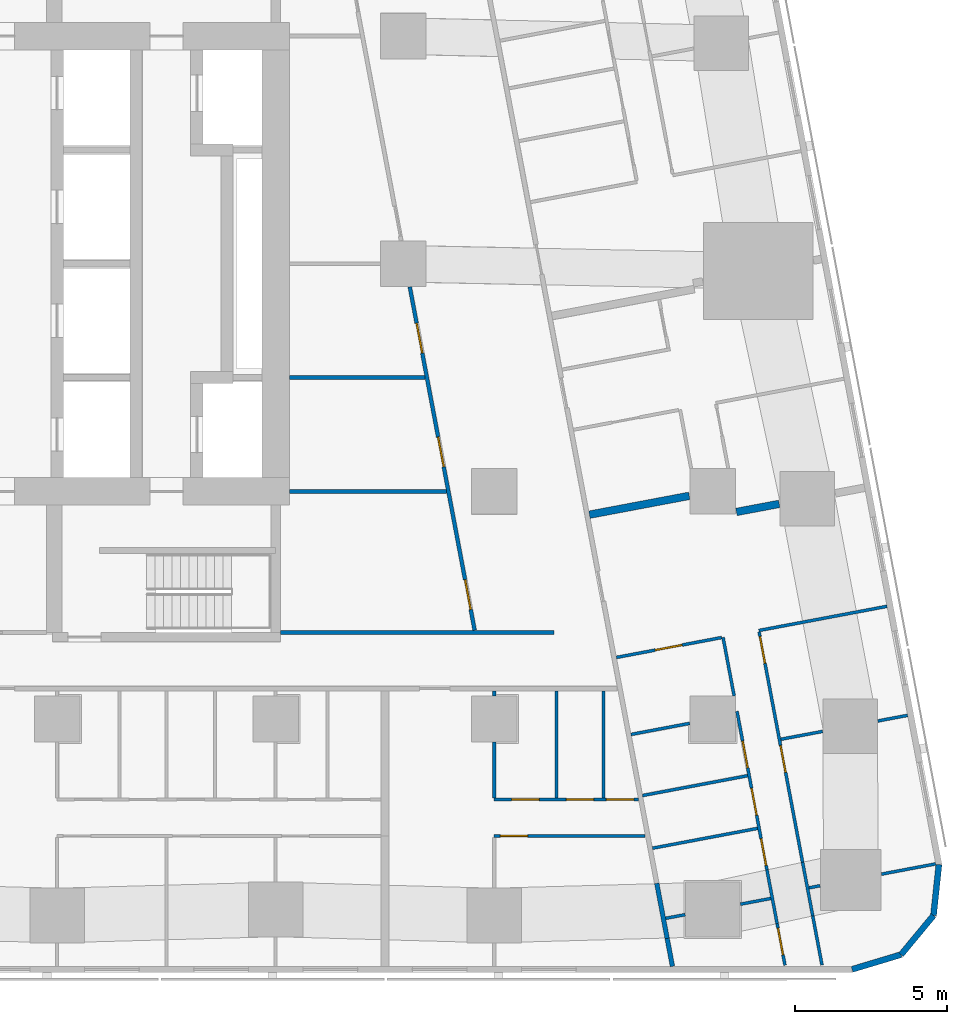
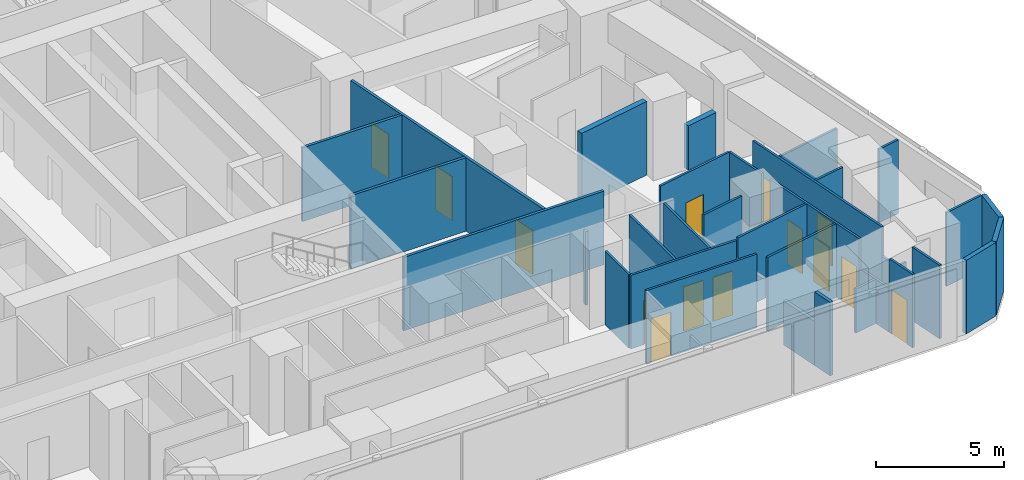
# One storey, part 7 of 15: 35 walls, 14 doors, 14 openings.
"""IFC4 building model written with IfcOpenShell, lengths in metres."""

from ifc_helpers import new_model, si_unit, direction, frame, frame_2d, origin, place, context, subcontext, project, spatial, rectangle, extrude, material, layer, layer_set, type_object, element, fill, save


model = new_model("IFC4")

# Units and contexts
model_context = context("Model", 3, precision=1e-05, world=origin(), true_north=direction((0.0, 1.0)))
body_context = subcontext(model_context, "Body", "Model", "MODEL_VIEW")
ifc_project = project(units=[si_unit("LENGTHUNIT", "METRE"), si_unit("AREAUNIT", "SQUARE_METRE"), si_unit("VOLUMEUNIT", "CUBIC_METRE"), si_unit("PLANEANGLEUNIT", "RADIAN"), si_unit("MASSUNIT", "GRAM", prefix="KILO")], contexts=[model_context])

# Site, building, storey
site_placement = place(None, origin())
site = spatial("IfcSite", under=ifc_project, at=site_placement, CompositionType="ELEMENT")
building_placement = place(site_placement, origin())
building = spatial("IfcBuilding", under=site, at=building_placement, Name="Sheger Commons Tower", CompositionType="ELEMENT")
storey_placement = place(building_placement, frame((0.0, 0.0, 139.550048828125)))
storey = spatial("IfcBuildingStorey", under=building, at=storey_placement, Name="L35", CompositionType="ELEMENT", Elevation=139.550048828125)

# Walls
ifc_material_1 = material(Name="Hollow concrete block masonry, skimmed both sides", Category="masonry")
ifc_layer_1 = layer(ifc_material_1, 0.14990234375)
ifc_layer_set_1 = layer_set([ifc_layer_1], Name="CORRIDOR WALL 150")
wall_type_1 = type_object("IfcWallType", Name="CORRIDOR WALL 150", PredefinedType="SOLIDWALL", material=ifc_layer_set_1)
wall_1_placement = place(storey_placement, frame((41.35498046875, 2.0859375, 0.0), z_axis=(0.0, 0.0, 1.0), x_axis=(0.185708872674, -0.982604811005, 0.0)))
element("IfcWall", 1, at=wall_1_placement, inside=storey, type_object=wall_type_1, Name="Corridor wall L35", PredefinedType="SOLIDWALL", context=body_context, shape_type="SweptSolid", body=[
    extrude(rectangle(XDim=1.84716796875, YDim=0.14990234375, at=frame_2d((0.923583984375, 0.0))), origin(), (0.0, 0.0, 1.0), 2.099853515625),
])
wall_2_placement = place(storey_placement, frame((41.697998046875, 0.27099609375, 0.0), z_axis=(0.0, 0.0, 1.0), x_axis=(0.185735329995, -0.982599810295, 0.0)))
element("IfcWall", 2, at=wall_2_placement, inside=storey, type_object=wall_type_1, Name="Corridor wall L35", PredefinedType="SOLIDWALL", context=body_context, shape_type="SweptSolid", body=[
    extrude(rectangle(XDim=0.937255859375, YDim=0.14990234375, at=frame_2d((0.46875, 0.0))), origin(), (0.0, 0.0, 1.0), 3.5),
])
ifc_material_2 = material(Name="Dense concrete block masonry, plastered both sides (separating wall between flats)", Category="masonry")
ifc_layer_2 = layer(ifc_material_2, 0.25)
ifc_layer_set_2 = layer_set([ifc_layer_2], Name="DEMISING WALL 250")
wall_type_2 = type_object("IfcWallType", Name="DEMISING WALL 250", PredefinedType="SOLIDWALL", material=ifc_layer_set_2)
wall_3_placement = place(storey_placement, frame((45.389892578125, 14.587890625, 0.0), z_axis=(0.0, 0.0, 1.0), x_axis=(-0.982680951688, -0.18530555089, 0.0)))
element("IfcWall", 3, at=wall_3_placement, inside=storey, type_object=wall_type_2, Name="Demising wall L35", PredefinedType="SOLIDWALL", context=body_context, shape_type="SweptSolid", body=[
    extrude(rectangle(XDim=1.434814453125, YDim=0.25, at=frame_2d((0.71728515625, 0.0))), origin(), (0.0, 0.0, 1.0), 2.099853515625),
])
wall_4_placement = place(storey_placement, frame((42.426025390625, 14.85302734375, 0.0), z_axis=(0.0, 0.0, 1.0), x_axis=(-0.982633560103, -0.185556693654, 0.0)))
element("IfcWall", 4, at=wall_4_placement, inside=storey, type_object=wall_type_2, Name="Demising wall L35", PredefinedType="SOLIDWALL", context=body_context, shape_type="SweptSolid", body=[
    extrude(rectangle(XDim=3.34716796875, YDim=0.25, at=frame_2d((1.673583984375, 0.0))), origin(), (0.0, 0.0, 1.0), 3.5),
])
ifc_material_3 = material(Name="Rendered concrete block masonry, dark grey", Category="masonry")
ifc_layer_3 = layer(ifc_material_3, 0.199951171875)
ifc_layer_set_3 = layer_set([ifc_layer_3], Name="FACADE WALL 200")
wall_type_3 = type_object("IfcWallType", Name="FACADE WALL 200", PredefinedType="SOLIDWALL", material=ifc_layer_set_3)
wall_5_placement = place(storey_placement, frame((47.791015625, -0.75, 0.0), z_axis=(0.0, 0.0, 1.0), x_axis=(0.957455232626, 0.288581838509, 0.0)))
element("IfcWall", 5, at=wall_5_placement, inside=storey, type_object=wall_type_3, Name="Facade wall L35", PredefinedType="SOLIDWALL", context=body_context, shape_type="SweptSolid", body=[
    extrude(rectangle(XDim=1.687744140625, YDim=0.199951171875, at=frame_2d((0.84375, 0.0))), origin(), (0.0, 0.0, 1.0), 3.5),
])
wall_6_placement = place(storey_placement, frame((49.406982421875, -0.262939453125, 0.0), z_axis=(0.0, 0.0, 1.0), x_axis=(0.638042593423, 0.770001070764, 0.0)))
element("IfcWall", 6, at=wall_6_placement, inside=storey, type_object=wall_type_3, Name="Facade wall L35", PredefinedType="SOLIDWALL", context=body_context, shape_type="SweptSolid", body=[
    extrude(rectangle(XDim=1.672607421875, YDim=0.199951171875, at=frame_2d((0.83642578125, 0.0))), origin(), (0.0, 0.0, 1.0), 3.5),
])
wall_7_placement = place(storey_placement, frame((50.47412109375, 1.02490234375, 0.0), z_axis=(0.0, 0.0, 1.0), x_axis=(0.106047815515, 0.994361031429, 0.0)))
element("IfcWall", 7, at=wall_7_placement, inside=storey, type_object=wall_type_3, Name="Facade wall L35", PredefinedType="SOLIDWALL", context=body_context, shape_type="SweptSolid", body=[
    extrude(rectangle(XDim=1.6875, YDim=0.199951171875, at=frame_2d((0.84375, 0.0))), origin(), (0.0, 0.0, 1.0), 3.5),
])

# Wall, opening, door
ifc_material_4 = material(Name="Gypsum board on steel studs", Category="steel")
ifc_layer_4 = layer(ifc_material_4, 0.10009765625)
ifc_layer_set_4 = layer_set([ifc_layer_4], Name="PARTITION 100")
wall_type_4 = type_object("IfcWallType", Name="PARTITION 100", PredefinedType="PARTITIONING", material=ifc_layer_set_4)
wall_8_placement = place(storey_placement, frame((40.97412109375, 3.64990234375, 0.0), z_axis=(0.0, 0.0, 1.0), x_axis=(-1.0, 0.0, 0.0)))
wall_8 = element("IfcWall", 8, at=wall_8_placement, inside=storey, type_object=wall_type_4, Name="Partition L35", PredefinedType="PARTITIONING", context=body_context, shape_type="SweptSolid", body=[
    extrude(rectangle(XDim=4.97412109375, YDim=0.10009765625, at=frame_2d((2.487060546875, 0.0))), origin(), (0.0, 0.0, 1.0), 3.5),
])
opening_1_placement = place(wall_8_placement, frame((3.8740234375, 0.0, 0.0)))
opening_1 = element("IfcOpeningElement", 9, at=opening_1_placement, cuts=wall_8, Name="Opening D2", PredefinedType="OPENING", context=body_context, shape_type="SweptSolid", body=[
    extrude(rectangle(XDim=0.89990234375, YDim=2.10009765625, at=frame_2d((0.449951171875, 1.050048828125))), frame((0.0, 0.06005859375, 0.0), z_axis=(0.0, -1.0, 0.0), x_axis=(1.0, 0.0, 0.0)), (0.0, 0.0, 1.0), 0.1201171875),
])
ifc_material_5 = material(Name="Timber door set", Category="wood")
door_type_1 = type_object("IfcDoorType", Name="INTERNAL DOOR 900x2100", OperationType="NOTDEFINED", PredefinedType="DOOR", material=ifc_material_5)
door_1_placement = place(opening_1_placement, origin())
door_1 = element("IfcDoor", 10, at=door_1_placement, inside=storey, type_object=door_type_1, Name="Main bedroom door", OperationType="SINGLE_SWING_RIGHT", OverallHeight=2.10009765625, OverallWidth=0.89990234375, PredefinedType="DOOR", context=body_context, shape_type="SweptSolid", body=[
    extrude(rectangle(XDim=0.89990234375, YDim=2.10009765625, at=frame_2d((0.449951171875, 1.050048828125))), frame((0.0, 0.02490234375, 0.0), z_axis=(0.0, -1.0, 0.0), x_axis=(1.0, 0.0, 0.0)), (0.0, 0.0, 1.0), 0.050048828125),
])
fill(opening_1, door_1)

# Wall, openings, doors
wall_9_placement = place(storey_placement, frame((40.7470703125, 4.85009765625, 0.0), z_axis=(0.0, 0.0, 1.0), x_axis=(-1.0, 0.0, 0.0)))
wall_9 = element("IfcWall", 11, at=wall_9_placement, inside=storey, type_object=wall_type_4, Name="Partition L35", PredefinedType="PARTITIONING", context=body_context, shape_type="SweptSolid", body=[
    extrude(rectangle(XDim=4.7470703125, YDim=0.10009765625, at=frame_2d((2.37353515625, 0.0))), origin(), (0.0, 0.0, 1.0), 3.5),
])
opening_2_placement = place(wall_9_placement, frame((3.27197265625, 0.0, 0.0)))
opening_2 = element("IfcOpeningElement", 12, at=opening_2_placement, cuts=wall_9, Name="Opening D2", PredefinedType="OPENING", context=body_context, shape_type="SweptSolid", body=[
    extrude(rectangle(XDim=0.89990234375, YDim=2.10009765625, at=frame_2d((0.449951171875, 1.050048828125))), frame((0.0, 0.06005859375, 0.0), z_axis=(0.0, -1.0, 0.0), x_axis=(1.0, 0.0, 0.0)), (0.0, 0.0, 1.0), 0.1201171875),
])
opening_3_placement = place(wall_9_placement, frame((0.14990234375, 0.0, 0.0)))
opening_3 = element("IfcOpeningElement", 13, at=opening_3_placement, cuts=wall_9, Name="Opening D2", PredefinedType="OPENING", context=body_context, shape_type="SweptSolid", body=[
    extrude(rectangle(XDim=0.89990234375, YDim=2.10009765625, at=frame_2d((0.449951171875, 1.050048828125))), frame((0.0, 0.06005859375, 0.0), z_axis=(0.0, -1.0, 0.0), x_axis=(1.0, 0.0, 0.0)), (0.0, 0.0, 1.0), 0.1201171875),
])
opening_4_placement = place(wall_9_placement, frame((1.471923828125, 0.0, 0.0)))
opening_4 = element("IfcOpeningElement", 14, at=opening_4_placement, cuts=wall_9, Name="Opening D2", PredefinedType="OPENING", context=body_context, shape_type="SweptSolid", body=[
    extrude(rectangle(XDim=0.89990234375, YDim=2.10009765625, at=frame_2d((0.449951171875, 1.050048828125))), frame((0.0, 0.06005859375, 0.0), z_axis=(0.0, -1.0, 0.0), x_axis=(1.0, 0.0, 0.0)), (0.0, 0.0, 1.0), 0.1201171875),
])
door_2_placement = place(opening_2_placement, origin())
door_2 = element("IfcDoor", 15, at=door_2_placement, inside=storey, type_object=door_type_1, Name="Bathroom door", OperationType="SINGLE_SWING_LEFT", OverallHeight=2.10009765625, OverallWidth=0.89990234375, PredefinedType="DOOR", context=body_context, shape_type="SweptSolid", body=[
    extrude(rectangle(XDim=0.89990234375, YDim=2.10009765625, at=frame_2d((0.449951171875, 1.050048828125))), frame((0.0, 0.02490234375, 0.0), z_axis=(0.0, -1.0, 0.0), x_axis=(1.0, 0.0, 0.0)), (0.0, 0.0, 1.0), 0.050048828125),
])
fill(opening_2, door_2)
door_3_placement = place(opening_3_placement, origin())
door_3 = element("IfcDoor", 16, at=door_3_placement, inside=storey, type_object=door_type_1, Name="Laundry room door", OperationType="SINGLE_SWING_RIGHT", OverallHeight=2.10009765625, OverallWidth=0.89990234375, PredefinedType="DOOR", context=body_context, shape_type="SweptSolid", body=[
    extrude(rectangle(XDim=0.89990234375, YDim=2.10009765625, at=frame_2d((0.449951171875, 1.050048828125))), frame((0.0, 0.02490234375, 0.0), z_axis=(0.0, -1.0, 0.0), x_axis=(1.0, 0.0, 0.0)), (0.0, 0.0, 1.0), 0.050048828125),
])
fill(opening_3, door_3)
door_4_placement = place(opening_4_placement, origin())
door_4 = element("IfcDoor", 17, at=door_4_placement, inside=storey, type_object=door_type_1, Name="Store door", OperationType="SINGLE_SWING_LEFT", OverallHeight=2.10009765625, OverallWidth=0.89990234375, PredefinedType="DOOR", context=body_context, shape_type="SweptSolid", body=[
    extrude(rectangle(XDim=0.89990234375, YDim=2.10009765625, at=frame_2d((0.449951171875, 1.050048828125))), frame((0.0, 0.02490234375, 0.0), z_axis=(0.0, -1.0, 0.0), x_axis=(1.0, 0.0, 0.0)), (0.0, 0.0, 1.0), 0.050048828125),
])
fill(opening_4, door_4)

# Walls
wall_10_placement = place(storey_placement, frame((36.0, 4.89990234375, 0.0), z_axis=(0.0, 0.0, 1.0), x_axis=(0.0, 1.0, 0.0)))
element("IfcWall", 18, at=wall_10_placement, inside=storey, type_object=wall_type_4, Name="Partition L35", PredefinedType="PARTITIONING", context=body_context, shape_type="SweptSolid", body=[
    extrude(rectangle(XDim=1.84912109375, YDim=0.10009765625, at=frame_2d((0.924560546875, 0.0))), origin(), (0.0, 0.0, 1.0), 3.5),
])
wall_11_placement = place(storey_placement, frame((36.0, 8.2509765625, 0.0), z_axis=(0.0, 0.0, 1.0), x_axis=(0.0, 1.0, 0.0)))
element("IfcWall", 19, at=wall_11_placement, inside=storey, type_object=wall_type_4, Name="Partition L35", PredefinedType="PARTITIONING", context=body_context, shape_type="SweptSolid", body=[
    extrude(rectangle(XDim=0.174072265625, YDim=0.10009765625, at=frame_2d((0.0869140625, 0.0))), origin(), (0.0, 0.0, 1.0), 3.5),
])
for number, where, z_axis, x_axis, name in (
    (20, (39.60009765625, 4.89990234375, 0.0), (0.0, 0.0, 1.0), (0.0, 1.0, 0.0), "Partition L35"),
    (21, (38.050048828125, 4.89990234375, 0.0), (0.0, 0.0, 1.0), (0.0, 1.0, 0.0), "Partition L35"),
):
    element("IfcWall", number, at=place(storey_placement, frame(where, z_axis=z_axis, x_axis=x_axis)), inside=storey, type_object=wall_type_4, Name=name, PredefinedType="PARTITIONING", context=body_context, shape_type="SweptSolid", body=[
        extrude(rectangle(XDim=3.525146484375, YDim=0.10009765625, at=frame_2d((1.7626953125, 0.0))), origin(), (0.0, 0.0, 1.0), 3.5),
    ])

# Wall, openings, doors
wall_12_placement = place(storey_placement, frame((44.72705078125, 10.365966796875, 0.0), z_axis=(0.0, 0.0, 1.0), x_axis=(0.185578957652, -0.982629355595, 0.0)))
wall_12 = element("IfcWall", 22, at=wall_12_placement, inside=storey, type_object=wall_type_4, Name="Partition L35", PredefinedType="PARTITIONING", context=body_context, shape_type="SweptSolid", body=[
    extrude(rectangle(XDim=7.720947265625, YDim=0.10009765625, at=frame_2d((3.8603515625, 0.0))), origin(), (0.0, 0.0, 1.0), 3.5),
])
opening_5_placement = place(wall_12_placement, frame((0.15087890625, 0.0, 0.0)))
opening_5 = element("IfcOpeningElement", 23, at=opening_5_placement, cuts=wall_12, Name="Opening D2", PredefinedType="OPENING", context=body_context, shape_type="SweptSolid", body=[
    extrude(rectangle(XDim=0.89990234375, YDim=2.10009765625, at=frame_2d((0.449951171875, 1.050048828125))), frame((0.0, 0.06005859375, 0.0), z_axis=(0.0, -1.0, 0.0), x_axis=(1.0, 0.0, 0.0)), (0.0, 0.0, 1.0), 0.1201171875),
])
opening_6_placement = place(wall_12_placement, frame((3.805908203125, 0.0, 0.0)))
opening_6 = element("IfcOpeningElement", 24, at=opening_6_placement, cuts=wall_12, Name="Opening D2", PredefinedType="OPENING", context=body_context, shape_type="SweptSolid", body=[
    extrude(rectangle(XDim=0.89990234375, YDim=2.10009765625, at=frame_2d((0.449951171875, 1.050048828125))), frame((0.0, 0.06005859375, 0.0), z_axis=(0.0, -1.0, 0.0), x_axis=(1.0, 0.0, 0.0)), (0.0, 0.0, 1.0), 0.1201171875),
])
door_5_placement = place(opening_5_placement, origin())
door_5 = element("IfcDoor", 25, at=door_5_placement, inside=storey, type_object=door_type_1, Name="Main bedroom door", OperationType="SINGLE_SWING_LEFT", OverallHeight=2.10009765625, OverallWidth=0.89990234375, PredefinedType="DOOR", context=body_context, shape_type="SweptSolid", body=[
    extrude(rectangle(XDim=0.89990234375, YDim=2.10009765625, at=frame_2d((0.449951171875, 1.050048828125))), frame((0.0, 0.02490234375, 0.0), z_axis=(0.0, -1.0, 0.0), x_axis=(1.0, 0.0, 0.0)), (0.0, 0.0, 1.0), 0.050048828125),
])
fill(opening_5, door_5)
door_6_placement = place(opening_6_placement, origin())
door_6 = element("IfcDoor", 26, at=door_6_placement, inside=storey, type_object=door_type_1, Name="Bedroom 2 door", OperationType="SINGLE_SWING_LEFT", OverallHeight=2.10009765625, OverallWidth=0.89990234375, PredefinedType="DOOR", context=body_context, shape_type="SweptSolid", body=[
    extrude(rectangle(XDim=0.89990234375, YDim=2.10009765625, at=frame_2d((0.449951171875, 1.050048828125))), frame((0.0, 0.02490234375, 0.0), z_axis=(0.0, -1.0, 0.0), x_axis=(1.0, 0.0, 0.0)), (0.0, 0.0, 1.0), 0.050048828125),
])
fill(opening_6, door_6)

# Walls
wall_13_placement = place(storey_placement, frame((46.159912109375, 2.779052734375, 0.0), z_axis=(0.0, 0.0, 1.0), x_axis=(0.18597295662, -0.982554863306, 0.0)))
element("IfcWall", 27, at=wall_13_placement, inside=storey, type_object=wall_type_4, Name="Partition L35", PredefinedType="PARTITIONING", context=body_context, shape_type="SweptSolid", body=[
    extrude(rectangle(XDim=1.802490234375, YDim=0.10009765625, at=frame_2d((0.9013671875, 0.0))), origin(), (0.0, 0.0, 1.0), 2.099853515625),
])
wall_14_placement = place(storey_placement, frame((46.4951171875, 1.008056640625, 0.0), z_axis=(0.0, 0.0, 1.0), x_axis=(0.185535059532, -0.982637645159, 0.0)))
element("IfcWall", 28, at=wall_14_placement, inside=storey, type_object=wall_type_4, Name="Partition L35", PredefinedType="PARTITIONING", context=body_context, shape_type="SweptSolid", body=[
    extrude(rectangle(XDim=1.6435546875, YDim=0.10009765625, at=frame_2d((0.82177734375, 0.0))), origin(), (0.0, 0.0, 1.0), 3.5),
])
wall_15_placement = place(storey_placement, frame((43.5390625, 10.19189453125, 0.0), z_axis=(0.0, 0.0, 1.0), x_axis=(0.18564540894, -0.982616803306, 0.0)))
element("IfcWall", 29, at=wall_15_placement, inside=storey, type_object=wall_type_4, Name="Partition L35", PredefinedType="PARTITIONING", context=body_context, shape_type="SweptSolid", body=[
    extrude(rectangle(XDim=1.966064453125, YDim=0.10009765625, at=frame_2d((0.98291015625, 0.0))), origin(), (0.0, 0.0, 1.0), 3.5),
])

# Wall, openings, doors
wall_16_placement = place(storey_placement, frame((43.9990234375, 7.7548828125, 0.0), z_axis=(0.0, 0.0, 1.0), x_axis=(0.185565904578, -0.982631820703, 0.0)))
wall_16 = element("IfcWall", 30, at=wall_16_placement, inside=storey, type_object=wall_type_4, Name="Partition L35", PredefinedType="PARTITIONING", context=body_context, shape_type="SweptSolid", body=[
    extrude(rectangle(XDim=5.319091796875, YDim=0.10009765625, at=frame_2d((2.65966796875, 0.0))), origin(), (0.0, 0.0, 1.0), 3.5),
])
opening_7_placement = place(wall_16_placement, frame((1.0, 0.0, 0.0)))
opening_7 = element("IfcOpeningElement", 31, at=opening_7_placement, cuts=wall_16, Name="Opening D2", PredefinedType="OPENING", context=body_context, shape_type="SweptSolid", body=[
    extrude(rectangle(XDim=0.89990234375, YDim=2.10009765625, at=frame_2d((0.449951171875, 1.050048828125))), frame((0.0, 0.06005859375, 0.0), z_axis=(0.0, -1.0, 0.0), x_axis=(1.0, 0.0, 0.0)), (0.0, 0.0, 1.0), 0.1201171875),
])
opening_8_placement = place(wall_16_placement, frame((4.26904296875, 0.0, 0.0)))
opening_8 = element("IfcOpeningElement", 32, at=opening_8_placement, cuts=wall_16, Name="Opening D2", PredefinedType="OPENING", context=body_context, shape_type="SweptSolid", body=[
    extrude(rectangle(XDim=0.89990234375, YDim=2.10009765625, at=frame_2d((0.449951171875, 1.050048828125))), frame((0.0, 0.06005859375, 0.0), z_axis=(0.0, -1.0, 0.0), x_axis=(1.0, 0.0, 0.0)), (0.0, 0.0, 1.0), 0.1201171875),
])
opening_9_placement = place(wall_16_placement, frame((2.5849609375, 0.0, 0.0)))
opening_9 = element("IfcOpeningElement", 33, at=opening_9_placement, cuts=wall_16, Name="Opening D2", PredefinedType="OPENING", context=body_context, shape_type="SweptSolid", body=[
    extrude(rectangle(XDim=0.89990234375, YDim=2.10009765625, at=frame_2d((0.449951171875, 1.050048828125))), frame((0.0, 0.06005859375, 0.0), z_axis=(0.0, -1.0, 0.0), x_axis=(1.0, 0.0, 0.0)), (0.0, 0.0, 1.0), 0.1201171875),
])
door_7_placement = place(opening_7_placement, origin())
door_7 = element("IfcDoor", 34, at=door_7_placement, inside=storey, type_object=door_type_1, Name="Bathroom door", OperationType="SINGLE_SWING_LEFT", OverallHeight=2.10009765625, OverallWidth=0.89990234375, PredefinedType="DOOR", context=body_context, shape_type="SweptSolid", body=[
    extrude(rectangle(XDim=0.89990234375, YDim=2.10009765625, at=frame_2d((0.449951171875, 1.050048828125))), frame((0.0, 0.02490234375, 0.0), z_axis=(0.0, -1.0, 0.0), x_axis=(1.0, 0.0, 0.0)), (0.0, 0.0, 1.0), 0.050048828125),
])
fill(opening_7, door_7)
door_8_placement = place(opening_8_placement, origin())
door_8 = element("IfcDoor", 35, at=door_8_placement, inside=storey, type_object=door_type_1, Name="Laundry room door", OperationType="SINGLE_SWING_LEFT", OverallHeight=2.10009765625, OverallWidth=0.89990234375, PredefinedType="DOOR", context=body_context, shape_type="SweptSolid", body=[
    extrude(rectangle(XDim=0.89990234375, YDim=2.10009765625, at=frame_2d((0.449951171875, 1.050048828125))), frame((0.0, 0.02490234375, 0.0), z_axis=(0.0, -1.0, 0.0), x_axis=(1.0, 0.0, 0.0)), (0.0, 0.0, 1.0), 0.050048828125),
])
fill(opening_8, door_8)
door_9_placement = place(opening_9_placement, origin())
door_9 = element("IfcDoor", 36, at=door_9_placement, inside=storey, type_object=door_type_1, Name="Store door", OperationType="SINGLE_SWING_LEFT", OverallHeight=2.10009765625, OverallWidth=0.89990234375, PredefinedType="DOOR", context=body_context, shape_type="SweptSolid", body=[
    extrude(rectangle(XDim=0.89990234375, YDim=2.10009765625, at=frame_2d((0.449951171875, 1.050048828125))), frame((0.0, 0.02490234375, 0.0), z_axis=(0.0, -1.0, 0.0), x_axis=(1.0, 0.0, 0.0)), (0.0, 0.0, 1.0), 0.050048828125),
])
fill(opening_9, door_9)

# Wall
wall_17_placement = place(storey_placement, frame((44.986083984375, 2.528076171875, 0.0), z_axis=(0.0, 0.0, 1.0), x_axis=(0.18584218627, -0.982579605835, 0.0)))
element("IfcWall", 37, at=wall_17_placement, inside=storey, type_object=wall_type_4, Name="Partition L35", PredefinedType="PARTITIONING", context=body_context, shape_type="SweptSolid", body=[
    extrude(rectangle(XDim=1.802490234375, YDim=0.10009765625, at=frame_2d((0.9013671875, 0.0))), origin(), (0.0, 0.0, 1.0), 2.099853515625),
])

# Wall, opening, door
wall_18_placement = place(storey_placement, frame((45.321044921875, 0.757080078125, 0.0), z_axis=(0.0, 0.0, 1.0), x_axis=(0.185640562635, -0.982617718904, 0.0)))
wall_18 = element("IfcWall", 38, at=wall_18_placement, inside=storey, type_object=wall_type_4, Name="Partition L35", PredefinedType="PARTITIONING", context=body_context, shape_type="SweptSolid", body=[
    extrude(rectangle(XDim=1.395263671875, YDim=0.10009765625, at=frame_2d((0.69775390625, 0.0))), origin(), (0.0, 0.0, 1.0), 3.5),
])
opening_10_placement = place(wall_18_placement, frame((0.14990234375, 0.0, 0.0)))
opening_10 = element("IfcOpeningElement", 39, at=opening_10_placement, cuts=wall_18, Name="Opening D2", PredefinedType="OPENING", context=body_context, shape_type="SweptSolid", body=[
    extrude(rectangle(XDim=0.89990234375, YDim=2.10009765625, at=frame_2d((0.449951171875, 1.050048828125))), frame((0.0, 0.06005859375, 0.0), z_axis=(0.0, -1.0, 0.0), x_axis=(1.0, 0.0, 0.0)), (0.0, 0.0, 1.0), 0.1201171875),
])
door_10_placement = place(opening_10_placement, origin())
door_10 = element("IfcDoor", 40, at=door_10_placement, inside=storey, type_object=door_type_1, Name="Laundry room door", OperationType="SINGLE_SWING_RIGHT", OverallHeight=2.10009765625, OverallWidth=0.89990234375, PredefinedType="DOOR", context=body_context, shape_type="SweptSolid", body=[
    extrude(rectangle(XDim=0.89990234375, YDim=2.10009765625, at=frame_2d((0.449951171875, 1.050048828125))), frame((0.0, 0.02490234375, 0.0), z_axis=(0.0, -1.0, 0.0), x_axis=(1.0, 0.0, 0.0)), (0.0, 0.0, 1.0), 0.050048828125),
])
fill(opening_10, door_10)

# Walls
wall_19_placement = place(storey_placement, frame((48.943115234375, 11.212890625, 0.0), z_axis=(0.0, 0.0, 1.0), x_axis=(-0.982633535512, -0.185556823879, 0.0)))
element("IfcWall", 41, at=wall_19_placement, inside=storey, type_object=wall_type_4, Name="Partition L35", PredefinedType="PARTITIONING", context=body_context, shape_type="SweptSolid", body=[
    extrude(rectangle(XDim=4.2998046875, YDim=0.10009765625, at=frame_2d((2.14990234375, 0.0))), origin(), (0.0, 0.0, 1.0), 2.099853515625),
])
wall_20_placement = place(storey_placement, frame((49.6220703125, 7.6201171875, 0.0), z_axis=(0.0, 0.0, 1.0), x_axis=(-0.982708646087, -0.185158626332, 0.0)))
element("IfcWall", 42, at=wall_20_placement, inside=storey, type_object=wall_type_4, Name="Partition L35", PredefinedType="PARTITIONING", context=body_context, shape_type="SweptSolid", body=[
    extrude(rectangle(XDim=0.99951171875, YDim=0.10009765625, at=frame_2d((0.499755859375, 0.0))), origin(), (0.0, 0.0, 1.0), 3.5),
])
wall_21_placement = place(storey_placement, frame((46.820068359375, 7.091064453125, 0.0), z_axis=(0.0, 0.0, 1.0), x_axis=(-0.982689853246, -0.185258339427, 0.0)))
element("IfcWall", 43, at=wall_21_placement, inside=storey, type_object=wall_type_4, Name="Partition L35", PredefinedType="PARTITIONING", context=body_context, shape_type="SweptSolid", body=[
    extrude(rectangle(XDim=1.398193359375, YDim=0.10009765625, at=frame_2d((0.69921875, 0.0))), origin(), (0.0, 0.0, 1.0), 3.5),
])
wall_22_placement = place(storey_placement, frame((50.547119140625, 2.72607421875, 0.0), z_axis=(0.0, 0.0, 1.0), x_axis=(-0.982603988143, -0.185713226471, 0.0)))
element("IfcWall", 44, at=wall_22_placement, inside=storey, type_object=wall_type_4, Name="Partition L35", PredefinedType="PARTITIONING", context=body_context, shape_type="SweptSolid", body=[
    extrude(rectangle(XDim=1.82080078125, YDim=0.10009765625, at=frame_2d((0.910400390625, 0.0))), origin(), (0.0, 0.0, 1.0), 3.5),
])
wall_23_placement = place(storey_placement, frame((46.738037109375, 2.006103515625, 0.0), z_axis=(0.0, 0.0, 1.0), x_axis=(-0.982820466874, -0.184564161994, 0.0)))
element("IfcWall", 45, at=wall_23_placement, inside=storey, type_object=wall_type_4, Name="Partition L35", PredefinedType="PARTITIONING", context=body_context, shape_type="SweptSolid", body=[
    extrude(rectangle(XDim=0.374267578125, YDim=0.10009765625, at=frame_2d((0.18701171875, 0.0))), origin(), (0.0, 0.0, 1.0), 2.099853515625),
])

# Wall, opening, door
wall_24_placement = place(storey_placement, frame((43.489990234375, 10.18310546875, 0.0), z_axis=(0.0, 0.0, 1.0), x_axis=(-0.982588017646, -0.185797706064, 0.0)))
wall_24 = element("IfcWall", 46, at=wall_24_placement, inside=storey, type_object=wall_type_4, Name="Partition L35", PredefinedType="PARTITIONING", context=body_context, shape_type="SweptSolid", body=[
    extrude(rectangle(XDim=3.525390625, YDim=0.10009765625, at=frame_2d((1.7626953125, 0.0))), origin(), (0.0, 0.0, 1.0), 3.5),
])
opening_11_placement = place(wall_24_placement, frame((1.324951171875, 0.0, 0.0)))
opening_11 = element("IfcOpeningElement", 47, at=opening_11_placement, cuts=wall_24, Name="Opening D2", PredefinedType="OPENING", context=body_context, shape_type="SweptSolid", body=[
    extrude(rectangle(XDim=0.89990234375, YDim=2.10009765625, at=frame_2d((0.449951171875, 1.050048828125))), frame((0.0, 0.06005859375, 0.0), z_axis=(0.0, -1.0, 0.0), x_axis=(1.0, 0.0, 0.0)), (0.0, 0.0, 1.0), 0.1201171875),
])
door_11_placement = place(opening_11_placement, origin())
door_11 = element("IfcDoor", 48, at=door_11_placement, inside=storey, type_object=door_type_1, Name="Store door", OperationType="SINGLE_SWING_LEFT", OverallHeight=2.10009765625, OverallWidth=0.89990234375, PredefinedType="DOOR", context=body_context, shape_type="SweptSolid", body=[
    extrude(rectangle(XDim=0.89990234375, YDim=2.10009765625, at=frame_2d((0.449951171875, 1.050048828125))), frame((0.0, 0.02490234375, 0.0), z_axis=(0.0, -1.0, 0.0), x_axis=(1.0, 0.0, 0.0)), (0.0, 0.0, 1.0), 0.050048828125),
])
fill(opening_11, door_11)

# Walls
wall_25_placement = place(storey_placement, frame((42.43994140625, 7.35693359375, 0.0), z_axis=(0.0, 0.0, 1.0), x_axis=(-0.982581871375, -0.185830207569, 0.0)))
element("IfcWall", 49, at=wall_25_placement, inside=storey, type_object=wall_type_4, Name="Partition L35", PredefinedType="PARTITIONING", context=body_context, shape_type="SweptSolid", body=[
    extrude(rectangle(XDim=1.969482421875, YDim=0.10009765625, at=frame_2d((0.98486328125, 0.0))), origin(), (0.0, 0.0, 1.0), 3.5),
])
wall_26_placement = place(storey_placement, frame((45.114013671875, 1.5869140625, 0.0), z_axis=(0.0, 0.0, 1.0), x_axis=(-0.982567886437, -0.185904138047, 0.0)))
element("IfcWall", 50, at=wall_26_placement, inside=storey, type_object=wall_type_4, Name="Partition L35", PredefinedType="PARTITIONING", context=body_context, shape_type="SweptSolid", body=[
    extrude(rectangle(XDim=1.021728515625, YDim=0.10009765625, at=frame_2d((0.5107421875, 0.0))), origin(), (0.0, 0.0, 1.0), 2.099853515625),
])
wall_27_placement = place(storey_placement, frame((42.2900390625, 1.052978515625, 0.0), z_axis=(0.0, 0.0, 1.0), x_axis=(-0.982573945355, -0.185872111707, 0.0)))
element("IfcWall", 51, at=wall_27_placement, inside=storey, type_object=wall_type_4, Name="Partition L35", PredefinedType="PARTITIONING", context=body_context, shape_type="SweptSolid", body=[
    extrude(rectangle(XDim=0.651611328125, YDim=0.10009765625, at=frame_2d((0.32568359375, 0.0))), origin(), (0.0, 0.0, 1.0), 2.099853515625),
])
for number, where, z_axis, x_axis, name in (
    (52, (44.677001953125, 3.89599609375, 0.0), (0.0, 0.0, 1.0), (-0.982638553676, -0.185530247748, 0.0), "Partition L35"),
    (53, (44.35009765625, 5.631103515625, 0.0), (0.0, 0.0, 1.0), (-0.982638553676, -0.185530247748, 0.0), "Partition L35"),
):
    element("IfcWall", number, at=place(storey_placement, frame(where, z_axis=z_axis, x_axis=x_axis)), inside=storey, type_object=wall_type_4, Name=name, PredefinedType="PARTITIONING", context=body_context, shape_type="SweptSolid", body=[
        extrude(rectangle(XDim=3.525390625, YDim=0.10009765625, at=frame_2d((1.7626953125, 0.0))), origin(), (0.0, 0.0, 1.0), 3.5),
    ])
ifc_material_6 = material(Name="Gypsum board on steel studs, two layers each side, fire rated", Category="steel")
ifc_layer_5 = layer(ifc_material_6, 0.125)
ifc_layer_set_5 = layer_set([ifc_layer_5], Name="SERVICE WALL 125")
wall_type_5 = type_object("IfcWallType", Name="SERVICE WALL 125", PredefinedType="PARTITIONING", material=ifc_layer_set_5)
wall_28_placement = place(storey_placement, frame((28.949951171875, 10.35009765625, 0.0), z_axis=(0.0, 0.0, 1.0), x_axis=(1.0, 0.0, 0.0)))
element("IfcWall", 54, at=wall_28_placement, inside=storey, type_object=wall_type_5, Name="Service room wall L35", PredefinedType="PARTITIONING", context=body_context, shape_type="SweptSolid", body=[
    extrude(rectangle(XDim=9.012939453125, YDim=0.125, at=frame_2d((4.50634765625, 0.0))), origin(), (0.0, 0.0, 1.0), 3.5),
])

# Wall, openings, doors
wall_29_placement = place(storey_placement, frame((35.35400390625, 10.424072265625, 0.0), z_axis=(0.0, 0.0, 1.0), x_axis=(-0.185612234763, 0.982623070311, 0.0)))
wall_29 = element("IfcWall", 55, at=wall_29_placement, inside=storey, type_object=wall_type_5, Name="Service room wall L35", PredefinedType="PARTITIONING", context=body_context, shape_type="SweptSolid", body=[
    extrude(rectangle(XDim=11.512939453125, YDim=0.125, at=frame_2d((5.75634765625, 0.0))), origin(), (0.0, 0.0, 1.0), 3.5),
])
opening_12_placement = place(wall_29_placement, frame((0.697021484375, 0.0, 0.0)))
opening_12 = element("IfcOpeningElement", 56, at=opening_12_placement, cuts=wall_29, Name="Opening D4", PredefinedType="OPENING", context=body_context, shape_type="SweptSolid", body=[
    extrude(rectangle(XDim=1.0, YDim=2.10009765625, at=frame_2d((0.5, 1.050048828125))), frame((0.0, 0.072509765625, 0.0), z_axis=(0.0, -1.0, 0.0), x_axis=(1.0, 0.0, 0.0)), (0.0, 0.0, 1.0), 0.14501953125),
])
opening_13_placement = place(wall_29_placement, frame((5.47998046875, 0.0, 0.0)))
opening_13 = element("IfcOpeningElement", 57, at=opening_13_placement, cuts=wall_29, Name="Opening D4", PredefinedType="OPENING", context=body_context, shape_type="SweptSolid", body=[
    extrude(rectangle(XDim=1.0, YDim=2.10009765625, at=frame_2d((0.5, 1.050048828125))), frame((0.0, 0.072509765625, 0.0), z_axis=(0.0, -1.0, 0.0), x_axis=(1.0, 0.0, 0.0)), (0.0, 0.0, 1.0), 0.14501953125),
])
opening_14_placement = place(wall_29_placement, frame((9.2958984375, 0.0, 0.0)))
opening_14 = element("IfcOpeningElement", 58, at=opening_14_placement, cuts=wall_29, Name="Opening D4", PredefinedType="OPENING", context=body_context, shape_type="SweptSolid", body=[
    extrude(rectangle(XDim=1.0, YDim=2.10009765625, at=frame_2d((0.5, 1.050048828125))), frame((0.0, 0.072509765625, 0.0), z_axis=(0.0, -1.0, 0.0), x_axis=(1.0, 0.0, 0.0)), (0.0, 0.0, 1.0), 0.14501953125),
])
ifc_material_7 = material(Name="Steel door set, fire rated", Category="steel")
door_type_2 = type_object("IfcDoorType", Name="SERVICE DOOR 1000x2100", OperationType="NOTDEFINED", PredefinedType="DOOR", material=ifc_material_7)
door_12_placement = place(opening_12_placement, origin())
door_12 = element("IfcDoor", 59, at=door_12_placement, inside=storey, type_object=door_type_2, Name="Residents' study room door", OperationType="SINGLE_SWING_LEFT", OverallHeight=2.10009765625, OverallWidth=1.0, PredefinedType="DOOR", context=body_context, shape_type="SweptSolid", body=[
    extrude(rectangle(XDim=1.0, YDim=2.10009765625, at=frame_2d((0.5, 1.050048828125))), frame((0.0, 0.02490234375, 0.0), z_axis=(0.0, -1.0, 0.0), x_axis=(1.0, 0.0, 0.0)), (0.0, 0.0, 1.0), 0.050048828125),
])
fill(opening_12, door_12)
door_13_placement = place(opening_13_placement, origin())
door_13 = element("IfcDoor", 60, at=door_13_placement, inside=storey, type_object=door_type_2, Name="Residents' hobby room door", OperationType="SINGLE_SWING_LEFT", OverallHeight=2.10009765625, OverallWidth=1.0, PredefinedType="DOOR", context=body_context, shape_type="SweptSolid", body=[
    extrude(rectangle(XDim=1.0, YDim=2.10009765625, at=frame_2d((0.5, 1.050048828125))), frame((0.0, 0.02490234375, 0.0), z_axis=(0.0, -1.0, 0.0), x_axis=(1.0, 0.0, 0.0)), (0.0, 0.0, 1.0), 0.050048828125),
])
fill(opening_13, door_13)
door_14_placement = place(opening_14_placement, origin())
door_14 = element("IfcDoor", 61, at=door_14_placement, inside=storey, type_object=door_type_2, Name="Bicycle and pram store door", OperationType="SINGLE_SWING_LEFT", OverallHeight=2.10009765625, OverallWidth=1.0, PredefinedType="DOOR", context=body_context, shape_type="SweptSolid", body=[
    extrude(rectangle(XDim=1.0, YDim=2.10009765625, at=frame_2d((0.5, 1.050048828125))), frame((0.0, 0.02490234375, 0.0), z_axis=(0.0, -1.0, 0.0), x_axis=(1.0, 0.0, 0.0)), (0.0, 0.0, 1.0), 0.050048828125),
])
fill(opening_14, door_14)

# Walls
wall_30_placement = place(storey_placement, frame((29.25, 15.0, 0.0), z_axis=(0.0, 0.0, 1.0), x_axis=(1.0, 0.0, 0.0)))
element("IfcWall", 62, at=wall_30_placement, inside=storey, type_object=wall_type_5, Name="Service room wall L35", PredefinedType="PARTITIONING", context=body_context, shape_type="SweptSolid", body=[
    extrude(rectangle(XDim=5.176025390625, YDim=0.125, at=frame_2d((2.587890625, 0.0))), origin(), (0.0, 0.0, 1.0), 3.5),
])
wall_31_placement = place(storey_placement, frame((29.25, 18.75, 0.0), z_axis=(0.0, 0.0, 1.0), x_axis=(1.0, 0.0, 0.0)))
element("IfcWall", 63, at=wall_31_placement, inside=storey, type_object=wall_type_5, Name="Service room wall L35", PredefinedType="PARTITIONING", context=body_context, shape_type="SweptSolid", body=[
    extrude(rectangle(XDim=4.467041015625, YDim=0.125, at=frame_2d((2.2333984375, 0.0))), origin(), (0.0, 0.0, 1.0), 3.5),
])

save(model, "model.ifc")
